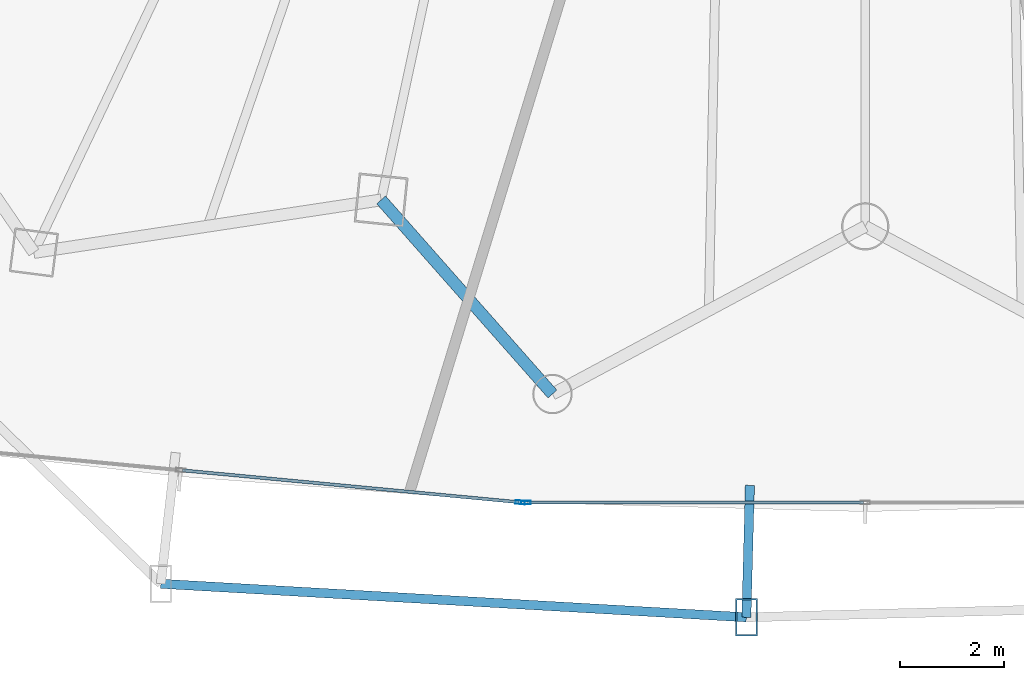
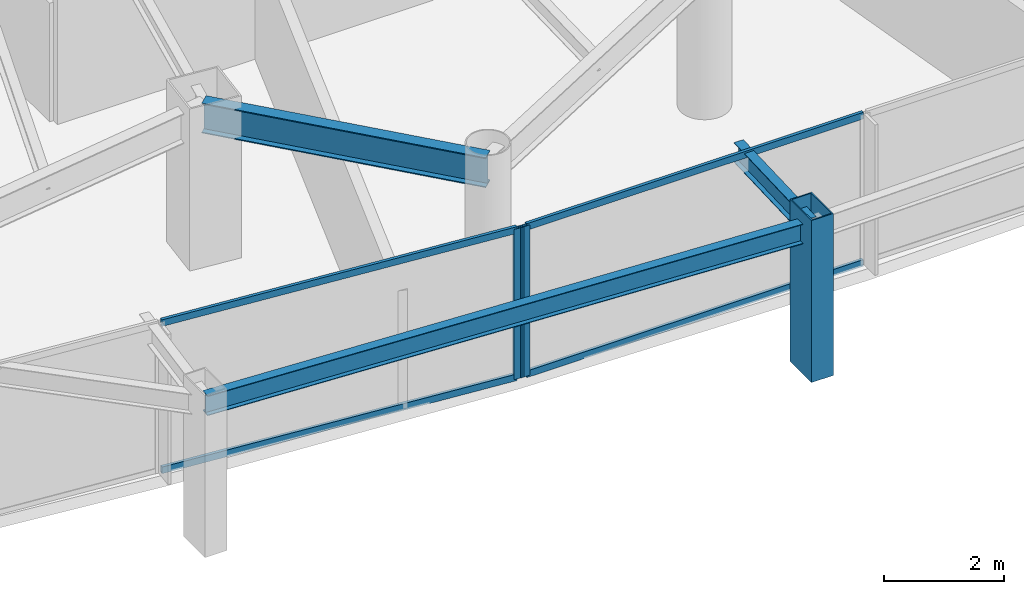
# One storey, part 6 of 38: 7 members, 3 beams, 2 elements without a shape of their own.
"""IFC4 building model written with IfcOpenShell, lengths in metres."""

from ifc_helpers import new_model, si_unit, direction, frame, origin, origin_2d, place, context, subcontext, project, spatial, hollow_rectangle, i_section, extrude, material, layer, layer_set, material_profile, profile_set, type_object, element, aggregate, save


model = new_model("IFC4")

# Units and contexts
model_context = context("Model", 3, precision=1e-05, world=origin(), true_north=direction((0.0, 1.0)))
body_context = subcontext(model_context, "Body", "Model", "MODEL_VIEW")
ifc_project = project(units=[si_unit("LENGTHUNIT", "METRE"), si_unit("AREAUNIT", "SQUARE_METRE"), si_unit("VOLUMEUNIT", "CUBIC_METRE"), si_unit("PLANEANGLEUNIT", "RADIAN"), si_unit("MASSUNIT", "GRAM", prefix="KILO")], contexts=[model_context])

# Site, building, storey
site_placement = place(None, origin())
site = spatial("IfcSite", under=ifc_project, at=site_placement, CompositionType="ELEMENT")
building_placement = place(site_placement, origin())
building = spatial("IfcBuilding", under=site, at=building_placement, Name="Orvanel Arch Residences", CompositionType="ELEMENT")
storey_placement = place(building_placement, frame((0.0, 0.0, 46.699951171875)))
storey = spatial("IfcBuildingStorey", under=building, at=storey_placement, Name="L12", CompositionType="ELEMENT", Elevation=46.699951171875)

# Member
ifc_material_1 = material(Name="Structural steel AS/NZS 3678 Grade 350", Category="steel")
ifc_material_profile_1 = material_profile(ifc_material_1, hollow_rectangle(XDim=0.419921875, YDim=0.719970703125, WallThickness=0.02490234375, at=origin_2d()), Name="RHS720x420x25")
ifc_profile_set_1 = profile_set([ifc_material_profile_1], Name="Structural steel AS/NZS 3678 Grade 350")
member_type_1 = type_object("IfcMemberType", Name="CH-720RHS-EXT", PredefinedType="CHORD", material=ifc_profile_set_1)
member_1_placement = place(storey_placement, frame((30.7041015625, -0.7080078125, 0.0), z_axis=(0.0, 0.0, 1.0), x_axis=(1.0, 0.0, 0.0)))
element("IfcMember", 1, at=member_1_placement, inside=storey, type_object=member_type_1, Name="L12 Outer Perimeter Frame Post 06", PredefinedType="CHORD", context=body_context, shape_type="SweptSolid", body=[
    extrude(hollow_rectangle(XDim=0.419921875, YDim=0.719970703125, WallThickness=0.02490234375, at=origin_2d()), origin(), (0.0, 0.0, 1.0), 3.300048828125),
])

# Curtain wall, member
ifc_material_2 = material(Name="Bronze-anodised aluminium AA6063-T6", Category="aluminium")
ifc_layer = layer(ifc_material_2, 0.179931640625)
ifc_layer_set = layer_set([ifc_layer], Name="Bronze-anodised aluminium AA6063-T6")
curtain_wall_type = type_object("IfcCurtainWallType", Name="CW2-LOW-SYS", PredefinedType="NOTDEFINED", material=ifc_layer_set)
curtain_wall_1_placement = place(storey_placement, origin())
curtain_wall_1 = element("IfcCurtainWall", 2, at=curtain_wall_1_placement, inside=storey, type_object=curtain_wall_type, Name="L12 CW2-LOW-SYS Unitised Curtain Wall", PredefinedType="NOTDEFINED")
ifc_material_profile_2 = material_profile(ifc_material_2, hollow_rectangle(XDim=0.070068359375, YDim=0.179931640625, WallThickness=0.00439453125, at=origin_2d()), Name="ALU180x70x4.5")
ifc_profile_set_2 = profile_set([ifc_material_profile_2], Name="Bronze-anodised aluminium AA6063-T6")
member_type_2 = type_object("IfcMemberType", Name="MUL-180x70", PredefinedType="MULLION", material=ifc_profile_set_2)
member_2_placement = place(storey_placement, frame((26.334228515625, 1.51318359375, 0.0), z_axis=(0.0, 0.0, 1.0), x_axis=(0.094246004419, 0.995548939355, 0.0)))
member_2 = element("IfcMember", 3, at=member_2_placement, type_object=member_type_2, Name="CW-S2 mullion 3", PredefinedType="MULLION", context=body_context, shape_type="SweptSolid", body=[
    extrude(hollow_rectangle(XDim=0.070068359375, YDim=0.179931640625, WallThickness=0.00439453125, at=origin_2d()), origin(), (0.0, 0.0, 1.0), 3.06005859375),
])

curtain_wall_2_placement = place(storey_placement, origin())
curtain_wall_2 = element("IfcCurtainWall", 4, at=curtain_wall_2_placement, inside=storey, type_object=curtain_wall_type, Name="L12 CW2-LOW-SYS Unitised Curtain Wall", PredefinedType="NOTDEFINED")
member_3_placement = place(storey_placement, frame((26.444091796875, 1.508056640625, 0.0), z_axis=(0.0, 0.0, 1.0), x_axis=(0.0, 1.0, 0.0)))
member_3 = element("IfcMember", 5, at=member_3_placement, type_object=member_type_2, Name="CW-S2 mullion 1", PredefinedType="MULLION", context=body_context, shape_type="SweptSolid", body=[
    extrude(hollow_rectangle(XDim=0.070068359375, YDim=0.179931640625, WallThickness=0.00439453125, at=origin_2d()), origin(), (0.0, 0.0, 1.0), 3.06005859375),
])

# Beams
ifc_material_3 = material(Name="Structural steel AS/NZS 3679.1 Grade 300 (300 MPa)", Category="steel")
ifc_material_profile_3 = material_profile(ifc_material_3, i_section(OverallWidth=0.177978515625, OverallDepth=0.406005859375, WebThickness=0.0078125, FlangeThickness=0.0126953125, at=origin_2d()), Name="410UB59.7")
ifc_profile_set_3 = profile_set([ifc_material_profile_3], Name="Structural steel AS/NZS 3679.1 Grade 300 (300 MPa)")
beam_type_1 = type_object("IfcBeamType", Name="OB-410UB-EXT", PredefinedType="SPANDREL", material=ifc_profile_set_3)
beam_1_placement = place(storey_placement, frame((19.39306640625, -0.06005859375, 2.85693359375), z_axis=(0.998363258929, -0.057190936525, 0.0), x_axis=(0.057190936525, 0.998363258929, 0.0)))
element("IfcBeam", 6, at=beam_1_placement, inside=storey, type_object=beam_type_1, Name="L12 Outer Perimeter Floor Ring Beam 05", PredefinedType="SPANDREL", context=body_context, shape_type="SweptSolid", body=[
    extrude(i_section(OverallWidth=0.177978515625, OverallDepth=0.406005859375, WebThickness=0.0078125, FlangeThickness=0.0126953125, at=origin_2d()), origin(), (0.0, 0.0, 1.0), 11.32958984375),
])
beam_2_placement = place(storey_placement, frame((30.77197265625, 1.842041015625, 2.85693359375), z_axis=(-0.026606183438, -0.999645992841, 0.0), x_axis=(0.999645992841, -0.026606183438, 0.0)))
element("IfcBeam", 7, at=beam_2_placement, inside=storey, type_object=beam_type_1, Name="L12 Outer Frame Radial Tie Beam 06", PredefinedType="SPANDREL", context=body_context, shape_type="SweptSolid", body=[
    extrude(i_section(OverallWidth=0.177978515625, OverallDepth=0.406005859375, WebThickness=0.0078125, FlangeThickness=0.0126953125, at=origin_2d()), origin(), (0.0, 0.0, 1.0), 2.551025390625),
])
ifc_material_profile_4 = material_profile(ifc_material_3, i_section(OverallWidth=0.22900390625, OverallDepth=0.612060546875, WebThickness=0.011962890625, FlangeThickness=0.01953125, at=origin_2d()), Name="610UB125")
ifc_profile_set_4 = profile_set([ifc_material_profile_4], Name="Structural steel AS/NZS 3679.1 Grade 300 (300 MPa)")
beam_type_2 = type_object("IfcBeamType", Name="SP-610UB", PredefinedType="SPANDREL", material=ifc_profile_set_4)
beam_3_placement = place(storey_placement, frame((23.64892578125, 7.35498046875, 2.754150390625), z_axis=(0.661650698195, -0.749812212209, 0.0), x_axis=(0.749812212209, 0.661650698195, 0.0)))
element("IfcBeam", 8, at=beam_3_placement, inside=storey, type_object=beam_type_2, Name="L12 Perimeter Spandrel Beam 05", PredefinedType="SPANDREL", context=body_context, shape_type="SweptSolid", body=[
    extrude(i_section(OverallWidth=0.22900390625, OverallDepth=0.612060546875, WebThickness=0.011962890625, FlangeThickness=0.01953125, at=origin_2d()), origin(), (0.0, 0.0, 1.0), 5.001220703125),
])

# Member
ifc_material_profile_5 = material_profile(ifc_material_2, hollow_rectangle(XDim=0.06005859375, YDim=0.135009765625, WallThickness=0.00390625, at=origin_2d()), Name="ALU135x60x4")
ifc_profile_set_5 = profile_set([ifc_material_profile_5], Name="Bronze-anodised aluminium AA6063-T6")
member_type_3 = type_object("IfcMemberType", Name="TRN-135x60", PredefinedType="USERDEFINED", material=ifc_profile_set_5)
member_4_placement = place(storey_placement, frame((19.812255859375, 2.130615234375, 0.030029296875), z_axis=(0.995550369367, -0.094230897556, 0.0), x_axis=(0.094230897556, 0.995550369367, 0.0)))
member_4 = element("IfcMember", 9, at=member_4_placement, type_object=member_type_3, Name="CW-S2 transom 2.1", ObjectType="TRANSOM", PredefinedType="USERDEFINED", context=body_context, shape_type="SweptSolid", body=[
    extrude(hollow_rectangle(XDim=0.06005859375, YDim=0.135009765625, WallThickness=0.00390625, at=origin_2d()), origin(), (0.0, 0.0, 1.0), 6.51611328125),
])

member_5_placement = place(storey_placement, frame((19.812255859375, 2.130615234375, 3.030029296875), z_axis=(0.995550369367, -0.094230897556, 0.0), x_axis=(0.094230897556, 0.995550369367, 0.0)))
member_5 = element("IfcMember", 10, at=member_5_placement, type_object=member_type_3, Name="CW-S2 transom 2.2", ObjectType="TRANSOM", PredefinedType="USERDEFINED", context=body_context, shape_type="SweptSolid", body=[
    extrude(hollow_rectangle(XDim=0.06005859375, YDim=0.135009765625, WallThickness=0.00390625, at=origin_2d()), origin(), (0.0, 0.0, 1.0), 6.51611328125),
])

aggregate(curtain_wall_1, [member_2, member_4, member_5])

member_6_placement = place(storey_placement, frame((26.47900390625, 1.508056640625, 0.030029296875), z_axis=(1.0, 0.0, 0.0), x_axis=(0.0, 1.0, 0.0)))
member_6 = element("IfcMember", 11, at=member_6_placement, type_object=member_type_3, Name="CW-S2 transom 1.1", ObjectType="TRANSOM", PredefinedType="USERDEFINED", context=body_context, shape_type="SweptSolid", body=[
    extrude(hollow_rectangle(XDim=0.06005859375, YDim=0.135009765625, WallThickness=0.00390625, at=origin_2d()), origin(), (0.0, 0.0, 1.0), 6.486083984375),
])

member_7_placement = place(storey_placement, frame((26.47900390625, 1.508056640625, 3.030029296875), z_axis=(1.0, 0.0, 0.0), x_axis=(0.0, 1.0, 0.0)))
member_7 = element("IfcMember", 12, at=member_7_placement, type_object=member_type_3, Name="CW-S2 transom 1.2", ObjectType="TRANSOM", PredefinedType="USERDEFINED", context=body_context, shape_type="SweptSolid", body=[
    extrude(hollow_rectangle(XDim=0.06005859375, YDim=0.135009765625, WallThickness=0.00390625, at=origin_2d()), origin(), (0.0, 0.0, 1.0), 6.486083984375),
])

aggregate(curtain_wall_2, [member_3, member_6, member_7])

save(model, "model.ifc")
